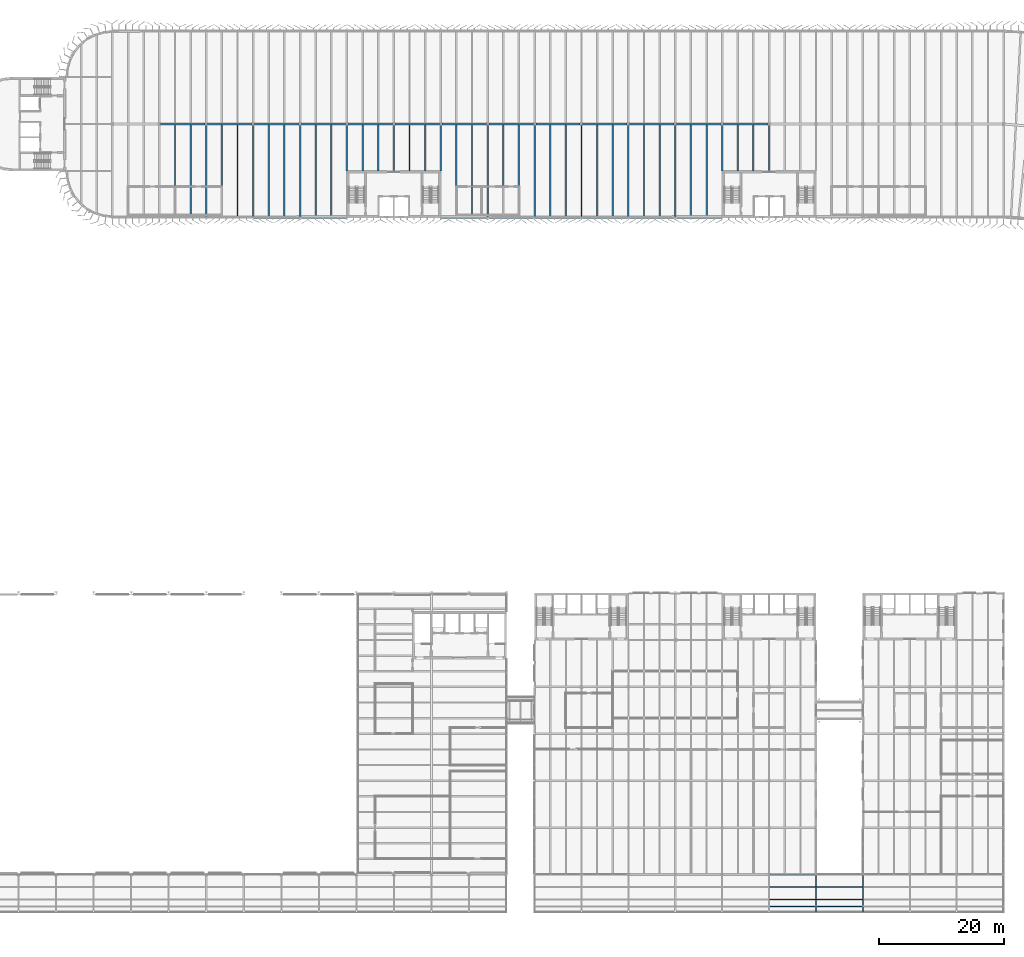
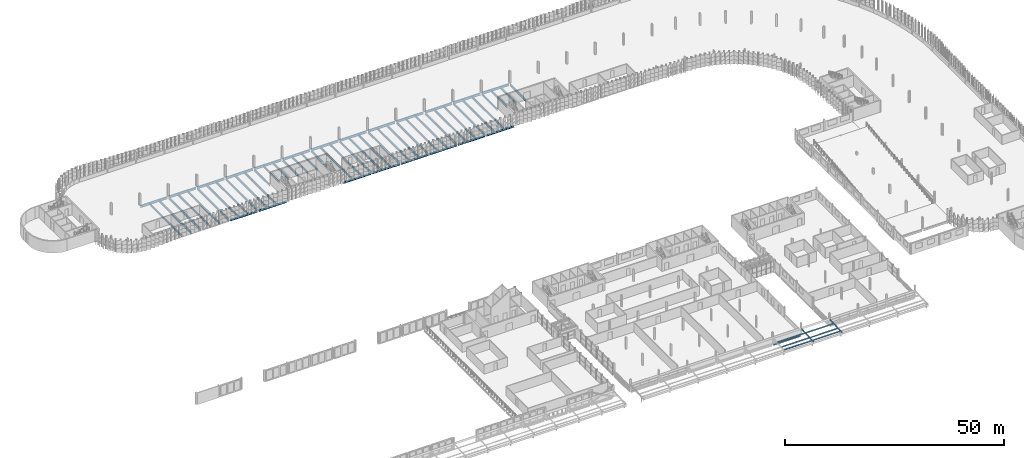
# One storey, part 45 of 214: 63 beams, 6 members.
"""IFC4 building model written with IfcOpenShell, lengths in metres."""

from ifc_helpers import new_model, si_unit, direction, frame, origin, origin_2d, place, context, subcontext, project, spatial, i_section, extrude, material, material_profile, profile_set, type_object, element, save


model = new_model("IFC4")

# Units and contexts
model_context = context("Model", 3, precision=1e-05, world=origin(), true_north=direction((0.0, 1.0)))
body_context = subcontext(model_context, "Body", "Model", "MODEL_VIEW")
ifc_project = project(units=[si_unit("LENGTHUNIT", "METRE"), si_unit("AREAUNIT", "SQUARE_METRE"), si_unit("VOLUMEUNIT", "CUBIC_METRE"), si_unit("PLANEANGLEUNIT", "RADIAN"), si_unit("MASSUNIT", "GRAM", prefix="KILO")], contexts=[model_context])

# Site, building, storey
site_placement = place(None, origin())
site = spatial("IfcSite", under=ifc_project, at=site_placement, CompositionType="ELEMENT")
building_placement = place(site_placement, origin())
building = spatial("IfcBuilding", under=site, at=building_placement, Name="Parallax Yard Mobility Hub", CompositionType="ELEMENT")
storey_placement = place(building_placement, frame((0.0, 0.0, 3.300048828125)))
storey = spatial("IfcBuildingStorey", under=building, at=storey_placement, Name="L01", CompositionType="ELEMENT", Elevation=3.300048828125)

# Beams
ifc_material = material(Name="Steel ASTM A992", Category="steel")
ifc_material_profile_1 = material_profile(ifc_material, i_section(OverallWidth=0.1708984375, OverallDepth=0.35498046875, WebThickness=0.007080078125, FlangeThickness=0.01171875, at=origin_2d()), Name="W360x51")
ifc_profile_set_1 = profile_set([ifc_material_profile_1], Name="Steel ASTM A992")
beam_type_1 = type_object("IfcBeamType", Name="Arcade edge beam W360x51", PredefinedType="SPANDREL", material=ifc_profile_set_1)
for number, where, z_axis, x_axis, name in (
    (1, (135.08544921875, 2.408935546875, 1.378173828125), (1.0, 0.0, 0.0), (0.0, 0.998752343433, 0.049937525845), "Arcade edge beam V6 bay 6"),
    (2, (142.58544921875, 2.408935546875, 1.378173828125), (1.0, 0.0, 0.0), (0.0, 0.998752343433, 0.049937525845), "Arcade edge beam V6 bay 7"),
):
    element("IfcBeam", number, at=place(storey_placement, frame(where, z_axis=z_axis, x_axis=x_axis)), inside=storey, type_object=beam_type_1, Name=name, PredefinedType="SPANDREL", context=body_context, shape_type="SweptSolid", body=[
        extrude(i_section(OverallWidth=0.1708984375, OverallDepth=0.35498046875, WebThickness=0.007080078125, FlangeThickness=0.01171875, at=origin_2d()), origin(), (0.0, 0.0, 1.0), 7.3291015625),
    ])

# Members
ifc_material_profile_2 = material_profile(ifc_material, i_section(OverallWidth=0.133056640625, OverallDepth=0.20703125, WebThickness=0.005859375, FlangeThickness=0.00830078125, at=origin_2d()), Name="W200x27")
ifc_profile_set_2 = profile_set([ifc_material_profile_2], Name="Steel ASTM A992")
member_type_1 = type_object("IfcMemberType", Name="Arcade purlin W200x27", PredefinedType="PURLIN", material=ifc_profile_set_2)
for number, where, z_axis, x_axis, name in (
    (3, (135.08544921875, 3.505126953125, 1.507080078125), (1.0, 0.0, 0.0), (0.0, 0.998752343433, 0.049937525845), "Arcade purlin V6 bay 6 line 1"),
    (4, (135.08544921875, 5.505126953125, 1.60693359375), (1.0, 0.0, 0.0), (0.0, 0.998752343433, 0.049937525845), "Arcade purlin V6 bay 6 line 2"),
    (5, (142.58544921875, 3.505126953125, 1.507080078125), (1.0, 0.0, 0.0), (0.0, 0.998752343433, 0.049937525845), "Arcade purlin V6 bay 7 line 1"),
    (6, (142.58544921875, 5.505126953125, 1.60693359375), (1.0, 0.0, 0.0), (0.0, 0.998752343433, 0.049937525845), "Arcade purlin V6 bay 7 line 2"),
):
    element("IfcMember", number, at=place(storey_placement, frame(where, z_axis=z_axis, x_axis=x_axis)), inside=storey, type_object=member_type_1, Name=name, PredefinedType="PURLIN", context=body_context, shape_type="SweptSolid", body=[
        extrude(i_section(OverallWidth=0.133056640625, OverallDepth=0.20703125, WebThickness=0.005859375, FlangeThickness=0.00830078125, at=origin_2d()), origin(), (0.0, 0.0, 1.0), 7.3291015625),
    ])
ifc_material_profile_3 = material_profile(ifc_material, i_section(OverallWidth=0.1708984375, OverallDepth=0.35498046875, WebThickness=0.007080078125, FlangeThickness=0.01171875, at=origin_2d()), Name="W360x51")
ifc_profile_set_3 = profile_set([ifc_material_profile_3], Name="Steel ASTM A992")
member_type_2 = type_object("IfcMemberType", Name="Arcade rafter W360x51", PredefinedType="RAFTER", material=ifc_profile_set_3)
for number, where, z_axis, x_axis, name in (
    (7, (142.5, 1.518798828125, 1.333740234375), (0.0, 0.998753861131, 0.049907162574), (-1.0, 0.0, 0.0), "Arcade rafter V6 7"),
    (8, (150.0, 1.518798828125, 1.333740234375), (0.0, 0.998753861131, 0.049907162574), (-1.0, 0.0, 0.0), "Arcade rafter V6 8"),
):
    element("IfcMember", number, at=place(storey_placement, frame(where, z_axis=z_axis, x_axis=x_axis)), inside=storey, type_object=member_type_2, Name=name, PredefinedType="RAFTER", context=body_context, shape_type="SweptSolid", body=[
        extrude(i_section(OverallWidth=0.1708984375, OverallDepth=0.35498046875, WebThickness=0.007080078125, FlangeThickness=0.01171875, at=origin_2d()), origin(), (0.0, 0.0, 1.0), 5.99755859375),
    ])

# Beams
ifc_material_profile_4 = material_profile(ifc_material, i_section(OverallWidth=0.178955078125, OverallDepth=0.408935546875, WebThickness=0.0087890625, FlangeThickness=0.014404296875, FilletRadius=0.01025390625, at=origin_2d()), Name="W410x67")
ifc_profile_set_4 = profile_set([ifc_material_profile_4], Name="Steel ASTM A992")
beam_type_2 = type_object("IfcBeamType", Name="W410x67 edge beam", PredefinedType="SPANDREL", material=ifc_profile_set_4)
beam_1_placement = place(storey_placement, frame((135.152587890625, 7.5, -0.344482421875), z_axis=(1.0, 0.0, 0.0), x_axis=(0.0, 1.0, 0.0)))
element("IfcBeam", 9, at=beam_1_placement, inside=storey, type_object=beam_type_2, Name="Edge beam SB3 level L01, line B of mobility service centre and workshops, span 6", PredefinedType="SPANDREL", context=body_context, shape_type="SweptSolid", body=[
    extrude(i_section(OverallWidth=0.178955078125, OverallDepth=0.408935546875, WebThickness=0.0087890625, FlangeThickness=0.014404296875, FilletRadius=0.01025390625, at=origin_2d()), origin(), (0.0, 0.0, 1.0), 7.19482421875),
])
ifc_material_profile_5 = material_profile(ifc_material, i_section(OverallWidth=0.208984375, OverallDepth=0.532958984375, WebThickness=0.01025390625, FlangeThickness=0.015625, FilletRadius=0.0126953125, at=origin_2d()), Name="W530x92")
ifc_profile_set_5 = profile_set([ifc_material_profile_5], Name="Steel ASTM A992")
beam_type_3 = type_object("IfcBeamType", Name="W530x92 edge beam", PredefinedType="SPANDREL", material=ifc_profile_set_5)
beam_2_placement = place(storey_placement, frame((52.653564453125, 112.5, -0.406494140625), z_axis=(1.0, 0.0, 0.0), x_axis=(0.0, 1.0, 0.0)))
element("IfcBeam", 10, at=beam_2_placement, inside=storey, type_object=beam_type_3, Name="Edge beam SB5 level L01, line R of ramped parking decks, span 4", PredefinedType="SPANDREL", context=body_context, shape_type="SweptSolid", body=[
    extrude(i_section(OverallWidth=0.208984375, OverallDepth=0.532958984375, WebThickness=0.01025390625, FlangeThickness=0.015625, FilletRadius=0.0126953125, at=origin_2d()), origin(), (0.0, 0.0, 1.0), 7.1494140625),
])
for number, where, z_axis, x_axis, name in (
    (11, (60.197021484375, 112.5, -0.406494140625), (1.0, 0.0, 0.0), (0.0, 1.0, 0.0), "Edge beam SB5 level L01, line R of ramped parking decks, span 5"),
    (12, (82.5, 112.5, -0.406494140625), (1.0, 0.0, 0.0), (0.0, 1.0, 0.0), "Edge beam SB5 level L01, line R of ramped parking decks, span 6"),
):
    element("IfcBeam", number, at=place(storey_placement, frame(where, z_axis=z_axis, x_axis=x_axis)), inside=storey, type_object=beam_type_3, Name=name, PredefinedType="SPANDREL", context=body_context, shape_type="SweptSolid", body=[
        extrude(i_section(OverallWidth=0.208984375, OverallDepth=0.532958984375, WebThickness=0.01025390625, FlangeThickness=0.015625, FilletRadius=0.0126953125, at=origin_2d()), origin(), (0.0, 0.0, 1.0), 7.302978515625),
    ])
beam_3_placement = place(storey_placement, frame((90.197021484375, 112.5, -0.406494140625), z_axis=(1.0, 0.0, 0.0), x_axis=(0.0, 1.0, 0.0)))
element("IfcBeam", 13, at=beam_3_placement, inside=storey, type_object=beam_type_3, Name="Edge beam SB5 level L01, line R of ramped parking decks, span 7", PredefinedType="SPANDREL", context=body_context, shape_type="SweptSolid", body=[
    extrude(i_section(OverallWidth=0.208984375, OverallDepth=0.532958984375, WebThickness=0.01025390625, FlangeThickness=0.015625, FilletRadius=0.0126953125, at=origin_2d()), origin(), (0.0, 0.0, 1.0), 7.1494140625),
])
for number, where, z_axis, x_axis, name in (
    (14, (97.653564453125, 112.5, -0.406494140625), (1.0, 0.0, 0.0), (0.0, 1.0, 0.0), "Edge beam SB5 level L01, line R of ramped parking decks, span 8"),
    (15, (105.153564453125, 112.5, -0.406494140625), (1.0, 0.0, 0.0), (0.0, 1.0, 0.0), "Edge beam SB5 level L01, line R of ramped parking decks, span 9"),
):
    element("IfcBeam", number, at=place(storey_placement, frame(where, z_axis=z_axis, x_axis=x_axis)), inside=storey, type_object=beam_type_3, Name=name, PredefinedType="SPANDREL", context=body_context, shape_type="SweptSolid", body=[
        extrude(i_section(OverallWidth=0.208984375, OverallDepth=0.532958984375, WebThickness=0.01025390625, FlangeThickness=0.015625, FilletRadius=0.0126953125, at=origin_2d()), origin(), (0.0, 0.0, 1.0), 7.19287109375),
    ])
beam_4_placement = place(storey_placement, frame((112.653564453125, 112.5, -0.406494140625), z_axis=(1.0, 0.0, 0.0), x_axis=(0.0, 1.0, 0.0)))
element("IfcBeam", 16, at=beam_4_placement, inside=storey, type_object=beam_type_3, Name="Edge beam SB5 level L01, line R of ramped parking decks, span 10", PredefinedType="SPANDREL", context=body_context, shape_type="SweptSolid", body=[
    extrude(i_section(OverallWidth=0.208984375, OverallDepth=0.532958984375, WebThickness=0.01025390625, FlangeThickness=0.015625, FilletRadius=0.0126953125, at=origin_2d()), origin(), (0.0, 0.0, 1.0), 7.1494140625),
])
beam_5_placement = place(storey_placement, frame((120.197021484375, 112.5, -0.406494140625), z_axis=(1.0, 0.0, 0.0), x_axis=(0.0, 1.0, 0.0)))
element("IfcBeam", 17, at=beam_5_placement, inside=storey, type_object=beam_type_3, Name="Edge beam SB5 level L01, line R of ramped parking decks, span 11", PredefinedType="SPANDREL", context=body_context, shape_type="SweptSolid", body=[
    extrude(i_section(OverallWidth=0.208984375, OverallDepth=0.532958984375, WebThickness=0.01025390625, FlangeThickness=0.015625, FilletRadius=0.0126953125, at=origin_2d()), origin(), (0.0, 0.0, 1.0), 7.302978515625),
])
ifc_material_profile_6 = material_profile(ifc_material, i_section(OverallWidth=0.22802734375, OverallDepth=0.60205078125, WebThickness=0.010498046875, FlangeThickness=0.014892578125, FilletRadius=0.0126953125, at=origin_2d()), Name="W610x101")
ifc_profile_set_6 = profile_set([ifc_material_profile_6], Name="Steel ASTM A992")
beam_type_4 = type_object("IfcBeamType", Name="W610x101 secondary beam", PredefinedType="JOIST", material=ifc_profile_set_6)
for number, where, z_axis, x_axis, name in (
    (18, (70.0, 120.0, -0.441162109375), (0.0, 1.0, 0.0), (-1.0, 0.0, 0.0), "Secondary beam B3 level L01, 2.5 m east of line 10 of ramped parking decks, span 1"),
    (19, (77.5, 120.0, -0.441162109375), (0.0, 1.0, 0.0), (-1.0, 0.0, 0.0), "Secondary beam B3 level L01, 2.5 m east of line 11 of ramped parking decks, span 1"),
):
    element("IfcBeam", number, at=place(storey_placement, frame(where, z_axis=z_axis, x_axis=x_axis)), inside=storey, type_object=beam_type_4, Name=name, PredefinedType="JOIST", context=body_context, shape_type="SweptSolid", body=[
        extrude(i_section(OverallWidth=0.22802734375, OverallDepth=0.60205078125, WebThickness=0.010498046875, FlangeThickness=0.014892578125, FilletRadius=0.0126953125, at=origin_2d()), origin(), (0.0, 0.0, 1.0), 7.33740234375),
    ])
for number, where, z_axis, x_axis, name in (
    (20, (85.0, 112.6044921875, -0.441162109375), (0.0, 1.0, 0.0), (-1.0, 0.0, 0.0), "Secondary beam B3 level L01, 2.5 m east of line 12 of ramped parking decks, span 1"),
    (21, (92.5, 112.6044921875, -0.441162109375), (0.0, 1.0, 0.0), (-1.0, 0.0, 0.0), "Secondary beam B3 level L01, 2.5 m east of line 13 of ramped parking decks, span 1"),
    (22, (100.0, 112.6044921875, -0.441162109375), (0.0, 1.0, 0.0), (-1.0, 0.0, 0.0), "Secondary beam B3 level L01, 2.5 m east of line 14 of ramped parking decks, span 1"),
    (23, (107.5, 112.6044921875, -0.441162109375), (0.0, 1.0, 0.0), (-1.0, 0.0, 0.0), "Secondary beam B3 level L01, 2.5 m east of line 15 of ramped parking decks, span 1"),
    (24, (115.0, 112.6044921875, -0.441162109375), (0.0, 1.0, 0.0), (-1.0, 0.0, 0.0), "Secondary beam B3 level L01, 2.5 m east of line 16 of ramped parking decks, span 1"),
    (25, (122.5, 112.6044921875, -0.441162109375), (0.0, 1.0, 0.0), (-1.0, 0.0, 0.0), "Secondary beam B3 level L01, 2.5 m east of line 17 of ramped parking decks, span 1"),
):
    element("IfcBeam", number, at=place(storey_placement, frame(where, z_axis=z_axis, x_axis=x_axis)), inside=storey, type_object=beam_type_4, Name=name, PredefinedType="JOIST", context=body_context, shape_type="SweptSolid", body=[
        extrude(i_section(OverallWidth=0.22802734375, OverallDepth=0.60205078125, WebThickness=0.010498046875, FlangeThickness=0.014892578125, FilletRadius=0.0126953125, at=origin_2d()), origin(), (0.0, 0.0, 1.0), 14.73291015625),
    ])
beam_6_placement = place(storey_placement, frame((130.0, 120.0, -0.441162109375), z_axis=(0.0, 1.0, 0.0), x_axis=(-1.0, 0.0, 0.0)))
element("IfcBeam", 26, at=beam_6_placement, inside=storey, type_object=beam_type_4, Name="Secondary beam B3 level L01, 2.5 m east of line 18 of ramped parking decks, span 1", PredefinedType="JOIST", context=body_context, shape_type="SweptSolid", body=[
    extrude(i_section(OverallWidth=0.22802734375, OverallDepth=0.60205078125, WebThickness=0.010498046875, FlangeThickness=0.014892578125, FilletRadius=0.0126953125, at=origin_2d()), origin(), (0.0, 0.0, 1.0), 7.33740234375),
])
for number, where, z_axis, x_axis, name in (
    (27, (40.0, 112.6044921875, -0.441162109375), (0.0, 1.0, 0.0), (-1.0, 0.0, 0.0), "Secondary beam B3 level L01, 2.5 m east of line 6 of ramped parking decks, span 1"),
    (28, (47.5, 112.6044921875, -0.441162109375), (0.0, 1.0, 0.0), (-1.0, 0.0, 0.0), "Secondary beam B3 level L01, 2.5 m east of line 7 of ramped parking decks, span 1"),
    (29, (55.0, 112.6044921875, -0.441162109375), (0.0, 1.0, 0.0), (-1.0, 0.0, 0.0), "Secondary beam B3 level L01, 2.5 m east of line 8 of ramped parking decks, span 1"),
    (30, (62.5, 112.6044921875, -0.441162109375), (0.0, 1.0, 0.0), (-1.0, 0.0, 0.0), "Secondary beam B3 level L01, 2.5 m east of line 9 of ramped parking decks, span 1"),
):
    element("IfcBeam", number, at=place(storey_placement, frame(where, z_axis=z_axis, x_axis=x_axis)), inside=storey, type_object=beam_type_4, Name=name, PredefinedType="JOIST", context=body_context, shape_type="SweptSolid", body=[
        extrude(i_section(OverallWidth=0.22802734375, OverallDepth=0.60205078125, WebThickness=0.010498046875, FlangeThickness=0.014892578125, FilletRadius=0.0126953125, at=origin_2d()), origin(), (0.0, 0.0, 1.0), 14.73291015625),
    ])
for number, where, z_axis, x_axis, name in (
    (31, (72.5, 120.0, -0.441162109375), (0.0, 1.0, 0.0), (-1.0, 0.0, 0.0), "Secondary beam B3 level L01, 5 m east of line 10 of ramped parking decks, span 1"),
    (32, (80.0, 120.0, -0.441162109375), (0.0, 1.0, 0.0), (-1.0, 0.0, 0.0), "Secondary beam B3 level L01, 5 m east of line 11 of ramped parking decks, span 1"),
):
    element("IfcBeam", number, at=place(storey_placement, frame(where, z_axis=z_axis, x_axis=x_axis)), inside=storey, type_object=beam_type_4, Name=name, PredefinedType="JOIST", context=body_context, shape_type="SweptSolid", body=[
        extrude(i_section(OverallWidth=0.22802734375, OverallDepth=0.60205078125, WebThickness=0.010498046875, FlangeThickness=0.014892578125, FilletRadius=0.0126953125, at=origin_2d()), origin(), (0.0, 0.0, 1.0), 7.33740234375),
    ])
for number, where, z_axis, x_axis, name in (
    (33, (87.5, 112.6044921875, -0.441162109375), (0.0, 1.0, 0.0), (-1.0, 0.0, 0.0), "Secondary beam B3 level L01, 5 m east of line 12 of ramped parking decks, span 1"),
    (34, (95.0, 112.6044921875, -0.441162109375), (0.0, 1.0, 0.0), (-1.0, 0.0, 0.0), "Secondary beam B3 level L01, 5 m east of line 13 of ramped parking decks, span 1"),
    (35, (102.5, 112.6044921875, -0.441162109375), (0.0, 1.0, 0.0), (-1.0, 0.0, 0.0), "Secondary beam B3 level L01, 5 m east of line 14 of ramped parking decks, span 1"),
    (36, (110.0, 112.6044921875, -0.441162109375), (0.0, 1.0, 0.0), (-1.0, 0.0, 0.0), "Secondary beam B3 level L01, 5 m east of line 15 of ramped parking decks, span 1"),
    (37, (117.5, 112.6044921875, -0.441162109375), (0.0, 1.0, 0.0), (-1.0, 0.0, 0.0), "Secondary beam B3 level L01, 5 m east of line 16 of ramped parking decks, span 1"),
    (38, (125.0, 112.6044921875, -0.441162109375), (0.0, 1.0, 0.0), (-1.0, 0.0, 0.0), "Secondary beam B3 level L01, 5 m east of line 17 of ramped parking decks, span 1"),
):
    element("IfcBeam", number, at=place(storey_placement, frame(where, z_axis=z_axis, x_axis=x_axis)), inside=storey, type_object=beam_type_4, Name=name, PredefinedType="JOIST", context=body_context, shape_type="SweptSolid", body=[
        extrude(i_section(OverallWidth=0.22802734375, OverallDepth=0.60205078125, WebThickness=0.010498046875, FlangeThickness=0.014892578125, FilletRadius=0.0126953125, at=origin_2d()), origin(), (0.0, 0.0, 1.0), 14.73291015625),
    ])
beam_7_placement = place(storey_placement, frame((132.5, 120.0, -0.441162109375), z_axis=(0.0, 1.0, 0.0), x_axis=(-1.0, 0.0, 0.0)))
element("IfcBeam", 39, at=beam_7_placement, inside=storey, type_object=beam_type_4, Name="Secondary beam B3 level L01, 5 m east of line 18 of ramped parking decks, span 1", PredefinedType="JOIST", context=body_context, shape_type="SweptSolid", body=[
    extrude(i_section(OverallWidth=0.22802734375, OverallDepth=0.60205078125, WebThickness=0.010498046875, FlangeThickness=0.014892578125, FilletRadius=0.0126953125, at=origin_2d()), origin(), (0.0, 0.0, 1.0), 7.33740234375),
])
for number, where, z_axis, x_axis, name in (
    (40, (42.5, 112.6044921875, -0.441162109375), (0.0, 1.0, 0.0), (-1.0, 0.0, 0.0), "Secondary beam B3 level L01, 5 m east of line 6 of ramped parking decks, span 1"),
    (41, (50.0, 112.6044921875, -0.441162109375), (0.0, 1.0, 0.0), (-1.0, 0.0, 0.0), "Secondary beam B3 level L01, 5 m east of line 7 of ramped parking decks, span 1"),
    (42, (57.5, 112.6044921875, -0.441162109375), (0.0, 1.0, 0.0), (-1.0, 0.0, 0.0), "Secondary beam B3 level L01, 5 m east of line 8 of ramped parking decks, span 1"),
    (43, (65.0, 112.6044921875, -0.441162109375), (0.0, 1.0, 0.0), (-1.0, 0.0, 0.0), "Secondary beam B3 level L01, 5 m east of line 9 of ramped parking decks, span 1"),
):
    element("IfcBeam", number, at=place(storey_placement, frame(where, z_axis=z_axis, x_axis=x_axis)), inside=storey, type_object=beam_type_4, Name=name, PredefinedType="JOIST", context=body_context, shape_type="SweptSolid", body=[
        extrude(i_section(OverallWidth=0.22802734375, OverallDepth=0.60205078125, WebThickness=0.010498046875, FlangeThickness=0.014892578125, FilletRadius=0.0126953125, at=origin_2d()), origin(), (0.0, 0.0, 1.0), 14.73291015625),
    ])
ifc_material_profile_7 = material_profile(ifc_material, i_section(OverallWidth=0.22900390625, OverallDepth=0.612060546875, WebThickness=0.011962890625, FlangeThickness=0.01953125, FilletRadius=0.0126953125, at=origin_2d()), Name="W610x125")
ifc_profile_set_7 = profile_set([ifc_material_profile_7], Name="Steel ASTM A992")
beam_type_5 = type_object("IfcBeamType", Name="W610x125 girder", PredefinedType="BEAM", material=ifc_profile_set_7)
for number, where, z_axis, x_axis, name in (
    (44, (67.5, 120.0, -0.446044921875), (0.0, 1.0, 0.0), (-1.0, 0.0, 0.0), "Girder G3 level L01, line 10 of ramped parking decks, span 1"),
    (45, (75.0, 120.0, -0.446044921875), (0.0, 1.0, 0.0), (-1.0, 0.0, 0.0), "Girder G3 level L01, line 11 of ramped parking decks, span 1"),
    (46, (82.5, 120.0, -0.446044921875), (0.0, 1.0, 0.0), (-1.0, 0.0, 0.0), "Girder G3 level L01, line 12 of ramped parking decks, span 1"),
):
    element("IfcBeam", number, at=place(storey_placement, frame(where, z_axis=z_axis, x_axis=x_axis)), inside=storey, type_object=beam_type_5, Name=name, PredefinedType="BEAM", context=body_context, shape_type="SweptSolid", body=[
        extrude(i_section(OverallWidth=0.22900390625, OverallDepth=0.612060546875, WebThickness=0.011962890625, FlangeThickness=0.01953125, FilletRadius=0.0126953125, at=origin_2d()), origin(), (0.0, 0.0, 1.0), 7.3095703125),
    ])
beam_8_placement = place(storey_placement, frame((90.0, 112.68798828125, -0.446044921875), z_axis=(0.0, 1.0, 0.0), x_axis=(-1.0, 0.0, 0.0)))
element("IfcBeam", 47, at=beam_8_placement, inside=storey, type_object=beam_type_5, Name="Girder G3 level L01, line 13 of ramped parking decks, span 1", PredefinedType="BEAM", context=body_context, shape_type="SweptSolid", body=[
    extrude(i_section(OverallWidth=0.22900390625, OverallDepth=0.612060546875, WebThickness=0.011962890625, FlangeThickness=0.01953125, FilletRadius=0.0126953125, at=origin_2d()), origin(), (0.0, 0.0, 1.0), 14.62158203125),
])
for number, where, z_axis, x_axis, name in (
    (48, (97.5, 112.658935546875, -0.446044921875), (0.0, 1.0, 0.0), (-1.0, 0.0, 0.0), "Girder G3 level L01, line 14 of ramped parking decks, span 1"),
    (49, (105.0, 112.658935546875, -0.446044921875), (0.0, 1.0, 0.0), (-1.0, 0.0, 0.0), "Girder G3 level L01, line 15 of ramped parking decks, span 1"),
    (50, (112.5, 112.658935546875, -0.446044921875), (0.0, 1.0, 0.0), (-1.0, 0.0, 0.0), "Girder G3 level L01, line 16 of ramped parking decks, span 1"),
):
    element("IfcBeam", number, at=place(storey_placement, frame(where, z_axis=z_axis, x_axis=x_axis)), inside=storey, type_object=beam_type_5, Name=name, PredefinedType="BEAM", context=body_context, shape_type="SweptSolid", body=[
        extrude(i_section(OverallWidth=0.22900390625, OverallDepth=0.612060546875, WebThickness=0.011962890625, FlangeThickness=0.01953125, FilletRadius=0.0126953125, at=origin_2d()), origin(), (0.0, 0.0, 1.0), 14.650634765625),
    ])
beam_9_placement = place(storey_placement, frame((120.0, 112.68798828125, -0.446044921875), z_axis=(0.0, 1.0, 0.0), x_axis=(-1.0, 0.0, 0.0)))
element("IfcBeam", 51, at=beam_9_placement, inside=storey, type_object=beam_type_5, Name="Girder G3 level L01, line 17 of ramped parking decks, span 1", PredefinedType="BEAM", context=body_context, shape_type="SweptSolid", body=[
    extrude(i_section(OverallWidth=0.22900390625, OverallDepth=0.612060546875, WebThickness=0.011962890625, FlangeThickness=0.01953125, FilletRadius=0.0126953125, at=origin_2d()), origin(), (0.0, 0.0, 1.0), 14.62158203125),
])
for number, where, z_axis, x_axis, name in (
    (52, (127.5, 120.0, -0.446044921875), (0.0, 1.0, 0.0), (-1.0, 0.0, 0.0), "Girder G3 level L01, line 18 of ramped parking decks, span 1"),
    (53, (135.0, 120.0, -0.446044921875), (0.0, 1.0, 0.0), (-1.0, 0.0, 0.0), "Girder G3 level L01, line 19 of ramped parking decks, span 1"),
):
    element("IfcBeam", number, at=place(storey_placement, frame(where, z_axis=z_axis, x_axis=x_axis)), inside=storey, type_object=beam_type_5, Name=name, PredefinedType="BEAM", context=body_context, shape_type="SweptSolid", body=[
        extrude(i_section(OverallWidth=0.22900390625, OverallDepth=0.612060546875, WebThickness=0.011962890625, FlangeThickness=0.01953125, FilletRadius=0.0126953125, at=origin_2d()), origin(), (0.0, 0.0, 1.0), 7.3095703125),
    ])
for number, where, z_axis, x_axis, name in (
    (54, (45.0, 112.658935546875, -0.446044921875), (0.0, 1.0, 0.0), (-1.0, 0.0, 0.0), "Girder G3 level L01, line 7 of ramped parking decks, span 1"),
    (55, (52.5, 112.658935546875, -0.446044921875), (0.0, 1.0, 0.0), (-1.0, 0.0, 0.0), "Girder G3 level L01, line 8 of ramped parking decks, span 1"),
):
    element("IfcBeam", number, at=place(storey_placement, frame(where, z_axis=z_axis, x_axis=x_axis)), inside=storey, type_object=beam_type_5, Name=name, PredefinedType="BEAM", context=body_context, shape_type="SweptSolid", body=[
        extrude(i_section(OverallWidth=0.22900390625, OverallDepth=0.612060546875, WebThickness=0.011962890625, FlangeThickness=0.01953125, FilletRadius=0.0126953125, at=origin_2d()), origin(), (0.0, 0.0, 1.0), 14.650634765625),
    ])
beam_10_placement = place(storey_placement, frame((60.0, 112.68798828125, -0.446044921875), z_axis=(0.0, 1.0, 0.0), x_axis=(-1.0, 0.0, 0.0)))
element("IfcBeam", 56, at=beam_10_placement, inside=storey, type_object=beam_type_5, Name="Girder G3 level L01, line 9 of ramped parking decks, span 1", PredefinedType="BEAM", context=body_context, shape_type="SweptSolid", body=[
    extrude(i_section(OverallWidth=0.22900390625, OverallDepth=0.612060546875, WebThickness=0.011962890625, FlangeThickness=0.01953125, FilletRadius=0.0126953125, at=origin_2d()), origin(), (0.0, 0.0, 1.0), 14.62158203125),
])
ifc_material_profile_8 = material_profile(ifc_material, i_section(OverallWidth=0.324951171875, OverallDepth=0.612060546875, WebThickness=0.0126953125, FlangeThickness=0.01904296875, FilletRadius=0.0126953125, at=origin_2d()), Name="W610x155")
ifc_profile_set_8 = profile_set([ifc_material_profile_8], Name="Steel ASTM A992")
beam_type_6 = type_object("IfcBeamType", Name="W610x155 longitudinal beam", PredefinedType="BEAM", material=ifc_profile_set_8)
for number, where, z_axis, x_axis, name in (
    (57, (37.697998046875, 127.5, -0.446044921875), (1.0, 0.0, 0.0), (0.0, 1.0, 0.0), "Longitudinal beam SB8 level L01, line T of ramped parking decks, span 2"),
    (58, (45.197998046875, 127.5, -0.446044921875), (1.0, 0.0, 0.0), (0.0, 1.0, 0.0), "Longitudinal beam SB8 level L01, line T of ramped parking decks, span 3"),
    (59, (52.697998046875, 127.5, -0.446044921875), (1.0, 0.0, 0.0), (0.0, 1.0, 0.0), "Longitudinal beam SB8 level L01, line T of ramped parking decks, span 4"),
    (60, (60.197998046875, 127.5, -0.446044921875), (1.0, 0.0, 0.0), (0.0, 1.0, 0.0), "Longitudinal beam SB8 level L01, line T of ramped parking decks, span 5"),
    (61, (67.697998046875, 127.5, -0.446044921875), (1.0, 0.0, 0.0), (0.0, 1.0, 0.0), "Longitudinal beam SB8 level L01, line T of ramped parking decks, span 6"),
    (62, (75.197998046875, 127.5, -0.446044921875), (1.0, 0.0, 0.0), (0.0, 1.0, 0.0), "Longitudinal beam SB8 level L01, line T of ramped parking decks, span 7"),
    (63, (82.697998046875, 127.5, -0.446044921875), (1.0, 0.0, 0.0), (0.0, 1.0, 0.0), "Longitudinal beam SB8 level L01, line T of ramped parking decks, span 8"),
    (64, (90.197998046875, 127.5, -0.446044921875), (1.0, 0.0, 0.0), (0.0, 1.0, 0.0), "Longitudinal beam SB8 level L01, line T of ramped parking decks, span 9"),
    (65, (97.697998046875, 127.5, -0.446044921875), (1.0, 0.0, 0.0), (0.0, 1.0, 0.0), "Longitudinal beam SB8 level L01, line T of ramped parking decks, span 10"),
    (66, (105.197998046875, 127.5, -0.446044921875), (1.0, 0.0, 0.0), (0.0, 1.0, 0.0), "Longitudinal beam SB8 level L01, line T of ramped parking decks, span 11"),
    (67, (112.697998046875, 127.5, -0.446044921875), (1.0, 0.0, 0.0), (0.0, 1.0, 0.0), "Longitudinal beam SB8 level L01, line T of ramped parking decks, span 12"),
    (68, (120.197998046875, 127.5, -0.446044921875), (1.0, 0.0, 0.0), (0.0, 1.0, 0.0), "Longitudinal beam SB8 level L01, line T of ramped parking decks, span 13"),
    (69, (127.697998046875, 127.5, -0.446044921875), (1.0, 0.0, 0.0), (0.0, 1.0, 0.0), "Longitudinal beam SB8 level L01, line T of ramped parking decks, span 14"),
):
    element("IfcBeam", number, at=place(storey_placement, frame(where, z_axis=z_axis, x_axis=x_axis)), inside=storey, type_object=beam_type_6, Name=name, PredefinedType="BEAM", context=body_context, shape_type="SweptSolid", body=[
        extrude(i_section(OverallWidth=0.324951171875, OverallDepth=0.612060546875, WebThickness=0.0126953125, FlangeThickness=0.01904296875, FilletRadius=0.0126953125, at=origin_2d()), origin(), (0.0, 0.0, 1.0), 7.10400390625),
    ])

save(model, "model.ifc")
